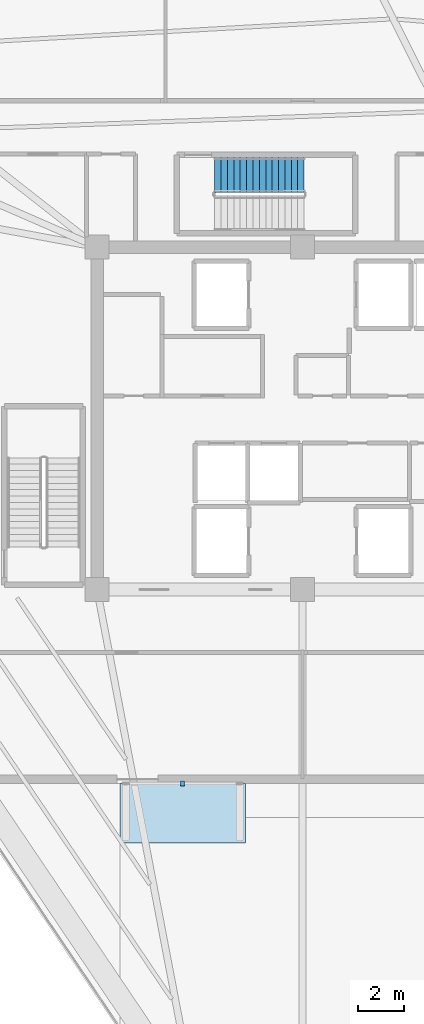
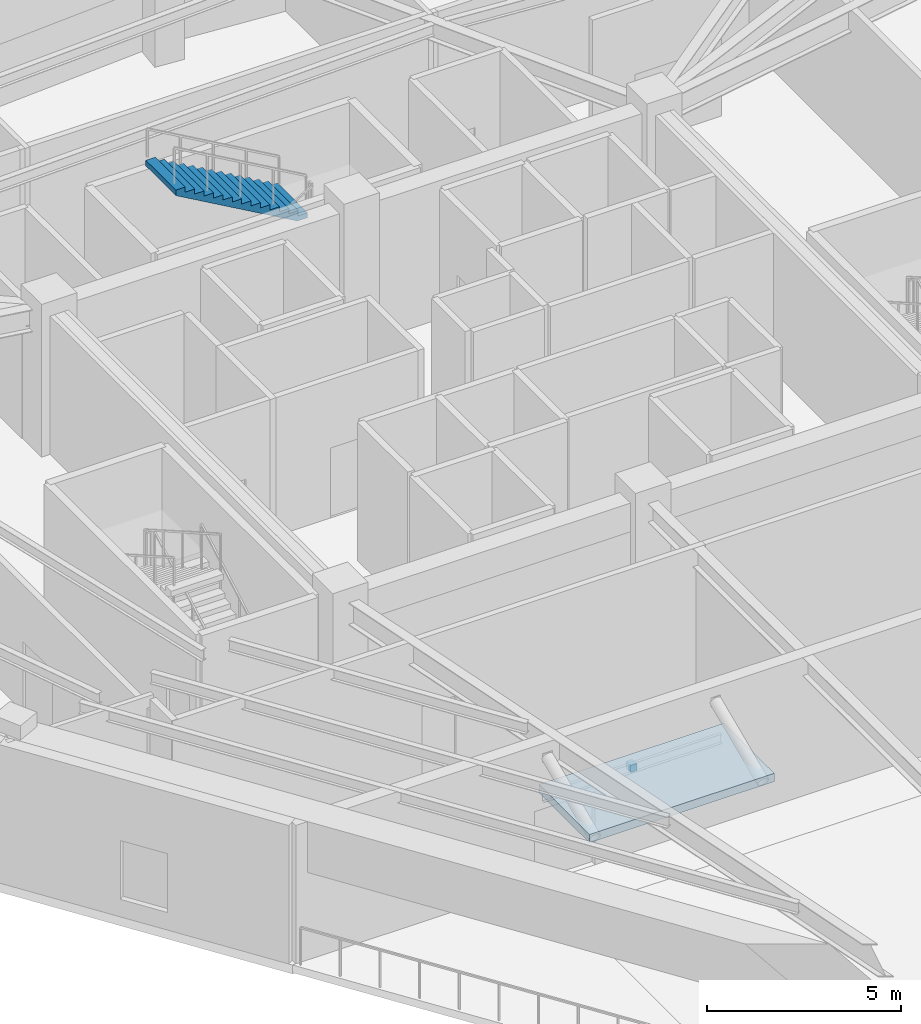
# One storey, part 8 of 12: 1 discrete accessory, 1 roof, 1 stair flight, 1 element without a shape of its own.
"""IFC4 building model written with IfcOpenShell, lengths in metres."""

from ifc_helpers import new_model, si_unit, direction, frame, origin, origin_2d, place, context, subcontext, project, spatial, polyline, rectangle, outline, extrude, source, transform, mapped, material, layer, layer_set, type_object, element, aggregate, save


model = new_model("IFC4")

# Units and contexts
model_context = context("Model", 3, precision=1e-05, world=origin(), true_north=direction((0.0, 1.0)))
body_context = subcontext(model_context, "Body", "Model", "MODEL_VIEW")
ifc_project = project(units=[si_unit("LENGTHUNIT", "METRE"), si_unit("AREAUNIT", "SQUARE_METRE"), si_unit("VOLUMEUNIT", "CUBIC_METRE"), si_unit("PLANEANGLEUNIT", "RADIAN"), si_unit("MASSUNIT", "GRAM", prefix="KILO")], contexts=[model_context])

# Site, building, storey
site_placement = place(None, origin())
site = spatial("IfcSite", under=ifc_project, at=site_placement, CompositionType="ELEMENT")
building_placement = place(site_placement, origin())
building = spatial("IfcBuilding", under=site, at=building_placement, Name="Liaohun Quay Tower", CompositionType="ELEMENT")
storey_placement = place(building_placement, frame((0.0, 0.0, 355.800048828125)))
storey = spatial("IfcBuildingStorey", under=building, at=storey_placement, Name="L92", CompositionType="ELEMENT", Elevation=355.800048828125)

# Stair, stair flight
ifc_material_1 = material(Name="Concrete C45", Category="concrete")
stair_type = type_object("IfcStairType", Name="STR-CORE-CRN", PredefinedType="HALF_TURN_STAIR", material=ifc_material_1)
stair_placement = place(storey_placement, origin())
stair = element("IfcStair", 1, at=stair_placement, inside=storey, type_object=stair_type, Name="L92 Smokeproof Core Exit Stair ST-3", PredefinedType="HALF_TURN_STAIR")
stair_flight_type = type_object("IfcStairFlightType", Name="FLT-CORE-155", PredefinedType="STRAIGHT", material=ifc_material_1)
stair_flight_placement = place(storey_placement, frame((60.070068359375, 64.6650390625, 2.39990234375), z_axis=(0.0, 0.0, 1.0), x_axis=(-1.0, 0.0, 0.0)))
stair_flight = element("IfcStairFlight", 2, at=stair_flight_placement, type_object=stair_flight_type, Name="ST-3 flight 2", NumberOfRisers=15, NumberOfTreads=14, PredefinedType="STRAIGHT", RiserHeight=0.16, TreadLength=0.28, context=body_context, shape_type="SweptSolid", body=[
    extrude(outline(polyline([(0.0, 0.0), (0.0, 0.159912109375), (0.280029296875, 0.159912109375), (0.280029296875, 0.320068359375), (0.56005859375, 0.320068359375), (0.56005859375, 0.47998046875), (0.840087890625, 0.47998046875), (0.840087890625, 0.639892578125), (1.1201171875, 0.639892578125), (1.1201171875, 0.800048828125), (1.39990234375, 0.800048828125), (1.39990234375, 0.9599609375), (1.679931640625, 0.9599609375), (1.679931640625, 1.1201171875), (1.9599609375, 1.1201171875), (1.9599609375, 1.280029296875), (2.239990234375, 1.280029296875), (2.239990234375, 1.43994140625), (2.52001953125, 1.43994140625), (2.52001953125, 1.60009765625), (2.800048828125, 1.60009765625), (2.800048828125, 1.760009765625), (3.080078125, 1.760009765625), (3.080078125, 1.919921875), (3.360107421875, 1.919921875), (3.360107421875, 2.080078125), (3.639892578125, 2.080078125), (3.639892578125, 2.239990234375), (3.919921875, 2.239990234375), (3.919921875, 2.39990234375), (3.919921875, 2.0673828125), (0.30224609375, 0.0), (0.0, 0.0)])), frame((0.0, 0.77490234375, 0.0), z_axis=(0.0, -1.0, 0.0), x_axis=(1.0, 0.0, 0.0)), (0.0, 0.0, 1.0), 1.550048828125),
])
aggregate(stair, [stair_flight])

# Roof
ifc_material_2 = material(Name="Precast concrete C50", Category="concrete")
ifc_layer = layer(ifc_material_2, 0.260009765625, Name="Precast concrete C50", Category="concrete")
ifc_layer_set = layer_set([ifc_layer], Name="Precast concrete C50")
roof_type = type_object("IfcRoofType", Name="ROF-POD-CAN", PredefinedType="FLAT_ROOF", material=ifc_layer_set)
roof_placement = place(storey_placement, frame((0.0, 0.0, 2.849853515625)))
element("IfcRoof", 3, at=roof_placement, inside=storey, type_object=roof_type, Name="L92 Lookout Portal Canopy", PredefinedType="FLAT_ROOF", context=body_context, shape_type="SweptSolid", body=[
    extrude(outline(polyline([(52.0, 35.39990234375), (57.5, 35.39990234375), (57.5, 38.0), (52.0, 38.0), (52.0, 35.39990234375)])), origin(), (0.0, 0.0, 1.0), 0.260009765625),
])

# Discrete accessory
ifc_material_3 = material(Name="Steel Q355D", Category="steel")
discrete_accessory_type = type_object("IfcDiscreteAccessoryType", Name="ACC-BRK-STL", PredefinedType="BRACKET", material=ifc_material_3)
shared_shape = source(origin(), body_context, "Body", "SweptSolid", [
    extrude(rectangle(XDim=0.179931640625, YDim=0.239990234375, at=origin_2d()), origin(), (0.0, 0.0, 1.0), 0.219970703125),
])
discrete_accessory_placement = place(storey_placement, frame((54.75, 38.0, 2.6201171875), z_axis=(0.0, 0.0, 1.0), x_axis=(1.0, 0.0, 0.0)))
element("IfcDiscreteAccessory", 4, at=discrete_accessory_placement, inside=storey, type_object=discrete_accessory_type, Name="L92 Lookout Portal Canopy Cleat Bracket", PredefinedType="BRACKET", context=body_context, shape_type="MappedRepresentation", body=[
    mapped(shared_shape, transform((0.0, 0.0, 0.0), x_axis=(1.0, 0.0, 0.0), y_axis=(0.0, 1.0, 0.0), z_axis=(0.0, 0.0, 1.0), scale=1.0)),
])

save(model, "model.ifc")
